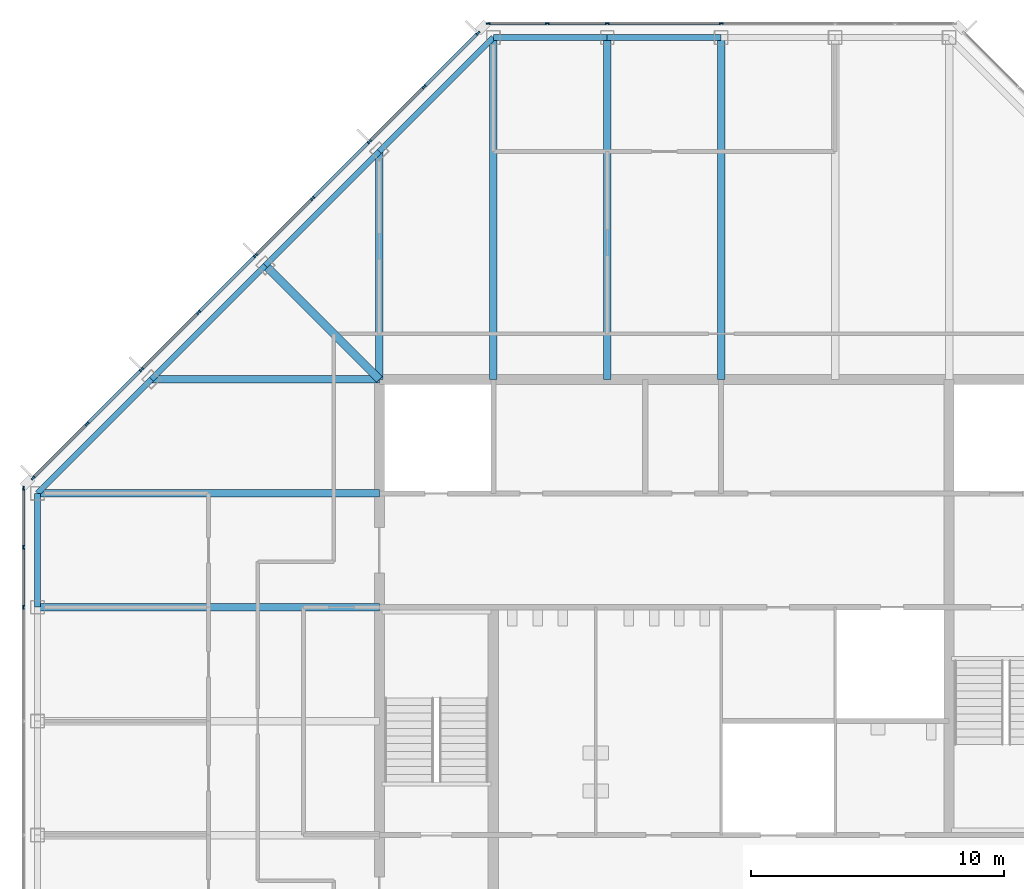
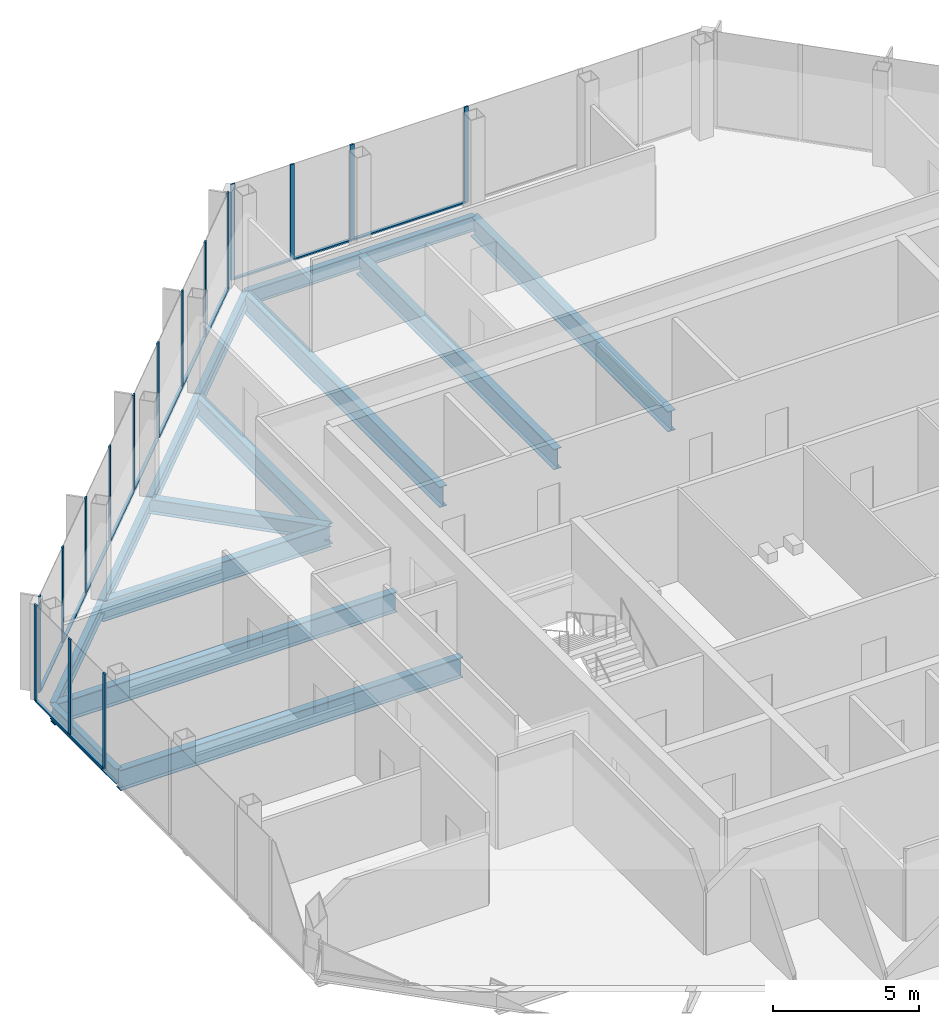
# One storey, part 6 of 14: 29 members, 15 beams, 3 elements without a shape of their own.
"""IFC4 building model written with IfcOpenShell, lengths in metres."""

import ifcopenshell
import ifcopenshell.guid

model = None  # the IFC model being written
_history = None  # IfcOwnerHistory: only IFC2X3 demands one
_inside = {}  # id of a spatial element -> (the spatial element, [elements in it])
_under = {}  # id of a project, library or spatial element -> (it, [spatial elements below it])
_declared = {}  # id of a project -> (the project, [libraries it declares])
_typed = {}  # id of a type object -> (the type object, [elements of that type])
_made_of = {}  # id of a material, layer set ... -> (it, [elements and type objects made of it])


def new_model(schema):
    """Start an empty IFC model of exactly this schema.

    Asked for "IFC4X3", IfcOpenShell would pick the latest addendum, in which some entities
    have other attributes; the version numbers below select the first issue.
    IFC2X3 requires an IfcOwnerHistory on every rooted entity: one is made here for all.
    """
    global model, _history
    if schema == "IFC4X3":
        model = ifcopenshell.file(schema_version=(4, 3, 0, 0))
    else:
        model = ifcopenshell.file(schema=schema)
    _inside.clear()
    _under.clear()
    _declared.clear()
    _typed.clear()
    _made_of.clear()
    _history = None
    if model.schema == "IFC2X3":
        org = make("IfcOrganization", Name="unknown")
        user = make(
            "IfcPersonAndOrganization",
            ThePerson=make("IfcPerson", FamilyName="unknown"),
            TheOrganization=org,
        )
        app = make(
            "IfcApplication",
            ApplicationDeveloper=org,
            Version="unknown",
            ApplicationFullName="unknown",
            ApplicationIdentifier="unknown",
        )
        _history = make(
            "IfcOwnerHistory",
            OwningUser=user,
            OwningApplication=app,
            ChangeAction="ADDED",
            CreationDate=0,
        )
    return model


def make(cls, **values):
    """One entity of the class cls with the attributes given. An attribute that is None is left unset."""
    return model.create_entity(
        cls, **{name: value for name, value in values.items() if value is not None}
    )


def rooted(cls, **values):
    """An entity with a GlobalId (a new one), such as an element, a storey or a relation."""
    return make(cls, GlobalId=ifcopenshell.guid.new(), OwnerHistory=_history, **values)


def si_unit(unit_type, name, prefix=None):
    """IfcSIUnit, for example si_unit("LENGTHUNIT", "METRE", prefix="MILLI")."""
    return make("IfcSIUnit", UnitType=unit_type, Prefix=prefix, Name=name)


def assignment(units):
    """IfcUnitAssignment: the units of a project."""
    return None if units is None else make("IfcUnitAssignment", Units=units)


def point(xyz):
    """IfcCartesianPoint."""
    return None if xyz is None else make("IfcCartesianPoint", Coordinates=xyz)


def direction(xyz):
    """IfcDirection."""
    return None if xyz is None else make("IfcDirection", DirectionRatios=xyz)


def frame(location, z_axis=None, x_axis=None):
    """IfcAxis2Placement3D, a coordinate frame: its origin and axes. An axis left out is left unset."""
    return make(
        "IfcAxis2Placement3D",
        Location=point(location),
        Axis=direction(z_axis),
        RefDirection=direction(x_axis),
    )


def frame_2d(location, x_axis=None):
    """IfcAxis2Placement2D, a coordinate frame in the plane: its origin and x axis."""
    return make(
        "IfcAxis2Placement2D", Location=point(location), RefDirection=direction(x_axis)
    )


def origin():
    """The frame at (0, 0, 0) with its axes left unset."""
    return frame((0.0, 0.0, 0.0))


def origin_2d():
    """The frame at (0, 0) in the plane with its x axis left unset."""
    return frame_2d((0.0, 0.0))


def place(relative_to, where):
    """IfcLocalPlacement: puts the frame where relative to a parent placement (None: the world)."""
    return make(
        "IfcLocalPlacement", PlacementRelTo=relative_to, RelativePlacement=where
    )


def context(
    kind, dimensions, precision=None, world=None, true_north=None, identifier=None
):
    """IfcGeometricRepresentationContext, for example the 3D "Model" context."""
    return make(
        "IfcGeometricRepresentationContext",
        ContextIdentifier=identifier,
        ContextType=kind,
        CoordinateSpaceDimension=dimensions,
        Precision=precision,
        WorldCoordinateSystem=world,
        TrueNorth=true_north,
    )


def subcontext(parent, identifier, kind, view, scale=None):
    """IfcGeometricRepresentationSubContext, for example "Body" below "Model"."""
    return make(
        "IfcGeometricRepresentationSubContext",
        ContextIdentifier=identifier,
        ContextType=kind,
        ParentContext=parent,
        TargetScale=scale,
        TargetView=view,
    )


def project(units=None, contexts=None):
    """IfcProject with its units and contexts."""
    return rooted(
        "IfcProject",
        Name="project",
        RepresentationContexts=contexts,
        UnitsInContext=assignment(units),
    )


def spatial(cls, under=None, at=None, **own):
    """A site, building, storey or space (cls), placed at a placement, below another one or the project."""
    s = rooted(cls, ObjectPlacement=at, **own)
    if under is not None:
        _under.setdefault(under.id(), (under, []))[1].append(s)
    return s


def profile(cls, at=None, kind="AREA", **sizes):
    """A parametric profile (cls). Its sizes go by their IFC names, for example OverallWidth=200.0."""
    return make(cls, ProfileType=kind, Position=at, **sizes)


def rectangle(**sizes):
    """IfcRectangleProfileDef."""
    return profile("IfcRectangleProfileDef", **sizes)


def i_section(**sizes):
    """IfcIShapeProfileDef."""
    return profile("IfcIShapeProfileDef", **sizes)


def extrude(swept, where, along, depth):
    """IfcExtrudedAreaSolid: the profile swept, set in the frame where, extruded along a direction by depth."""
    return make(
        "IfcExtrudedAreaSolid",
        SweptArea=swept,
        Position=where,
        ExtrudedDirection=direction(along),
        Depth=depth,
    )


def shape(context_of_items, identifier, shape_type, items):
    """IfcShapeRepresentation: the items that make up one representation, for example the "Body"."""
    return make(
        "IfcShapeRepresentation",
        ContextOfItems=context_of_items,
        RepresentationIdentifier=identifier,
        RepresentationType=shape_type,
        Items=items,
    )


def material(Name=None, Category=None):
    """IfcMaterial."""
    return make("IfcMaterial", Name=Name, Category=Category)


def material_profile(
    of_material, cross_section, Name=None, Category=None, Priority=None
):
    """IfcMaterialProfile: a cross section and its material."""
    return make(
        "IfcMaterialProfile",
        Name=Name,
        Material=of_material,
        Profile=cross_section,
        Priority=Priority,
        Category=Category,
    )


def profile_set(profiles, Name=None, composite=None):
    """IfcMaterialProfileSet."""
    return make(
        "IfcMaterialProfileSet",
        Name=Name,
        MaterialProfiles=profiles,
        CompositeProfile=composite,
    )


def made_of(thing, what):
    """Note that an element or type object is made of a material, layer set ...; save() writes the relation."""
    if what is not None:
        _made_of.setdefault(what.id(), (what, []))[1].append(thing)
    return thing


def type_object(cls, material=None, **own):
    """A type object (cls), such as IfcWallType, which elements share."""
    return made_of(rooted(cls, **own), material)


def element(
    cls,
    number,
    at=None,
    inside=None,
    cuts=None,
    type_object=None,
    material=None,
    context=None,
    identifier="Body",
    shape_type=None,
    held_by="IfcProductDefinitionShape",
    body=None,
    shapes=None,
    **own,
):
    """One element of the class cls, such as IfcWall. Its Tag is "e" and its number.

    at: its placement. inside: the storey or other place that contains it. cuts: it is an
    opening in that element (IfcRelVoidsElement). A single representation is given by context,
    identifier, shape_type and body (its items); several are given by shapes. held_by: the class
    of the entity that holds the representations. save() writes the other relations.
    """
    e = rooted(cls, Tag="e%d" % number, ObjectPlacement=at, **own)
    if body is not None:
        shapes = [shape(context, identifier, shape_type, body)]
    if shapes is not None:
        e.Representation = make(held_by, Representations=shapes)
    if inside is not None:
        _inside.setdefault(inside.id(), (inside, []))[1].append(e)
    if cuts is not None:
        rooted(
            "IfcRelVoidsElement", RelatingBuildingElement=cuts, RelatedOpeningElement=e
        )
    if type_object is not None:
        _typed.setdefault(type_object.id(), (type_object, []))[1].append(e)
    return made_of(e, material)


def aggregate(whole, parts):
    """IfcRelAggregates: a whole, such as a stair, and the parts it consists of."""
    return rooted("IfcRelAggregates", RelatingObject=whole, RelatedObjects=parts)


def save(model, path):
    """Write the relations noted so far, then the file.

    IfcRelAggregates (storeys below a building ...), IfcRelContainedInSpatialStructure (elements
    in a storey), IfcRelDefinesByType, IfcRelAssociatesMaterial and IfcRelDeclares: one each for
    every whole, place, type object, material and project.
    """
    for whole, parts in _under.values():
        aggregate(whole, parts)
    for where, things in _inside.values():
        rooted(
            "IfcRelContainedInSpatialStructure",
            RelatedElements=things,
            RelatingStructure=where,
        )
    for kind, things in _typed.values():
        rooted("IfcRelDefinesByType", RelatedObjects=things, RelatingType=kind)
    for what, things in _made_of.values():
        rooted("IfcRelAssociatesMaterial", RelatedObjects=things, RelatingMaterial=what)
    for by, libraries in _declared.values():
        rooted("IfcRelDeclares", RelatingContext=by, RelatedDefinitions=libraries)
    model.write(path)


model = new_model("IFC4")

# Units and contexts
model_context = context("Model", 3, precision=1e-05, world=origin(), true_north=direction((0.0, 1.0)))
body_context = subcontext(model_context, "Body", "Model", "MODEL_VIEW")
ifc_project = project(units=[si_unit("LENGTHUNIT", "METRE"), si_unit("AREAUNIT", "SQUARE_METRE"), si_unit("VOLUMEUNIT", "CUBIC_METRE"), si_unit("PLANEANGLEUNIT", "RADIAN"), si_unit("MASSUNIT", "GRAM", prefix="KILO")], contexts=[model_context])

# Site, building, storey
site_placement = place(None, origin())
site = spatial("IfcSite", under=ifc_project, at=site_placement, CompositionType="ELEMENT")
building_placement = place(site_placement, origin())
building = spatial("IfcBuilding", under=site, at=building_placement, Name="Corais Broadcast Tower", CompositionType="ELEMENT")
storey_placement = place(building_placement, frame((0.0, 0.0, 294.60009765625)))
storey = spatial("IfcBuildingStorey", under=building, at=storey_placement, Name="L69", CompositionType="ELEMENT", Elevation=294.60009765625)

# Beams
ifc_material_1 = material(Name="Steel ASTM A572 Grade 50", Category="steel")
ifc_material_profile_1 = material_profile(ifc_material_1, i_section(OverallWidth=0.323974609375, OverallDepth=0.611083984375, WebThickness=0.0126953125, FlangeThickness=0.01904296875, at=origin_2d()), Name="W610x155")
ifc_profile_set_1 = profile_set([ifc_material_profile_1], Name="Steel ASTM A572 Grade 50")
beam_type_1 = type_object("IfcBeamType", Name="Corner diagonal W610x155", PredefinedType="BEAM", material=ifc_profile_set_1)
beam_1_placement = place(storey_placement, frame((9.0, 45.0, -0.465576171875), z_axis=(0.707106781187, -0.707106781187, 0.0), x_axis=(0.707106781187, 0.707106781187, 0.0)))
element("IfcBeam", 1, at=beam_1_placement, inside=storey, type_object=beam_type_1, Name="B6 L/5 to K/6", PredefinedType="BEAM", context=body_context, shape_type="SweptSolid", body=[
    extrude(i_section(OverallWidth=0.323974609375, OverallDepth=0.611083984375, WebThickness=0.0126953125, FlangeThickness=0.01904296875, at=origin_2d()), origin(), (0.0, 0.0, 1.0), 6.364013671875),
])
ifc_material_2 = material(Name="Steel ASTM A572 Grade 50", Category="steel")
ifc_material_profile_2 = material_profile(ifc_material_2, i_section(OverallWidth=0.2939453125, OverallDepth=0.85107421875, WebThickness=0.01611328125, FlangeThickness=0.02685546875, at=origin_2d()), Name="W840x226")
ifc_profile_set_2 = profile_set([ifc_material_profile_2], Name="Steel ASTM A572 Grade 50")
beam_type_2 = type_object("IfcBeamType", Name="Floor beam W840x226", PredefinedType="BEAM", material=ifc_profile_set_2)
for number, where, z_axis, x_axis, name in (
    (2, (0.0, 31.5, -0.585693359375), (1.0, 0.0, 0.0), (0.0, 1.0, 0.0), "B1 H/3 to H/6"),
    (3, (0.0, 36.0, -0.585693359375), (1.0, 0.0, 0.0), (0.0, 1.0, 0.0), "B1 J/3 to J/6"),
):
    element("IfcBeam", number, at=place(storey_placement, frame(where, z_axis=z_axis, x_axis=x_axis)), inside=storey, type_object=beam_type_2, Name=name, PredefinedType="BEAM", context=body_context, shape_type="SweptSolid", body=[
        extrude(i_section(OverallWidth=0.2939453125, OverallDepth=0.85107421875, WebThickness=0.01611328125, FlangeThickness=0.02685546875, at=origin_2d()), origin(), (0.0, 0.0, 1.0), 13.5),
    ])
beam_2_placement = place(storey_placement, frame((13.5, 49.5, -0.585693359375), z_axis=(0.0, -1.0, 0.0), x_axis=(1.0, 0.0, 0.0)))
element("IfcBeam", 4, at=beam_2_placement, inside=storey, type_object=beam_type_2, Name="B1 M/6 to K/6", PredefinedType="BEAM", context=body_context, shape_type="SweptSolid", body=[
    extrude(i_section(OverallWidth=0.2939453125, OverallDepth=0.85107421875, WebThickness=0.01611328125, FlangeThickness=0.02685546875, at=origin_2d()), origin(), (0.0, 0.0, 1.0), 9.0),
])
for number, where, z_axis, x_axis, name in (
    (5, (18.0, 54.0, -0.585693359375), (0.0, -1.0, 0.0), (1.0, 0.0, 0.0), "B1 N/7 to K/7"),
    (6, (22.5, 54.0, -0.585693359375), (0.0, -1.0, 0.0), (1.0, 0.0, 0.0), "B1 N/8 to K/8"),
    (7, (27.0, 54.0, -0.585693359375), (0.0, -1.0, 0.0), (1.0, 0.0, 0.0), "B1 N/9 to K/9"),
):
    element("IfcBeam", number, at=place(storey_placement, frame(where, z_axis=z_axis, x_axis=x_axis)), inside=storey, type_object=beam_type_2, Name=name, PredefinedType="BEAM", context=body_context, shape_type="SweptSolid", body=[
        extrude(i_section(OverallWidth=0.2939453125, OverallDepth=0.85107421875, WebThickness=0.01611328125, FlangeThickness=0.02685546875, at=origin_2d()), origin(), (0.0, 0.0, 1.0), 13.5),
    ])
beam_3_placement = place(storey_placement, frame((4.5, 40.5, -0.585693359375), z_axis=(1.0, 0.0, 0.0), x_axis=(0.0, 1.0, 0.0)))
element("IfcBeam", 8, at=beam_3_placement, inside=storey, type_object=beam_type_2, Name="B1 K/4 to K/6", PredefinedType="BEAM", context=body_context, shape_type="SweptSolid", body=[
    extrude(i_section(OverallWidth=0.2939453125, OverallDepth=0.85107421875, WebThickness=0.01611328125, FlangeThickness=0.02685546875, at=origin_2d()), origin(), (0.0, 0.0, 1.0), 9.0),
])

# Curtain wall, members
ifc_material_3 = material(Name="Aluminium and glass", Category="aluminium")
curtain_wall_type = type_object("IfcCurtainWallType", Name="Unitised fritted curtain wall CW3", PredefinedType="NOTDEFINED", material=ifc_material_3)
curtain_wall_1_placement = place(storey_placement, origin())
curtain_wall_1 = element("IfcCurtainWall", 9, at=curtain_wall_1_placement, inside=storey, type_object=curtain_wall_type, Name="CW3 curtain wall L69 2", PredefinedType="NOTDEFINED")
ifc_material_4 = material(Name="Aluminium 6063-T6", Category="aluminium")
ifc_material_profile_3 = material_profile(ifc_material_4, rectangle(XDim=0.06494140625, YDim=0.159912109375, at=origin_2d()), Name="Mullion CW3 65x160")
ifc_profile_set_3 = profile_set([ifc_material_profile_3], Name="Aluminium 6063-T6")
member_type_1 = type_object("IfcMemberType", Name="Mullion CW3 65x160", PredefinedType="MULLION", material=ifc_profile_set_3)
member_1_placement = place(storey_placement, frame((-0.550048828125, 31.5, 0.0), z_axis=(0.0, 0.0, 1.0), x_axis=(-1.0, 0.0, 0.0)))
member_1 = element("IfcMember", 10, at=member_1_placement, type_object=member_type_1, Name="CW3 mullion 5", PredefinedType="MULLION", context=body_context, shape_type="SweptSolid", body=[
    extrude(rectangle(XDim=0.06494140625, YDim=0.159912109375, at=origin_2d()), origin(), (0.0, 0.0, 1.0), 4.0),
])
member_2_placement = place(storey_placement, frame((-0.550048828125, 33.864013671875, 0.0), z_axis=(0.0, 0.0, 1.0), x_axis=(-1.0, 0.0, 0.0)))
member_2 = element("IfcMember", 11, at=member_2_placement, type_object=member_type_1, Name="CW3 mullion 6", PredefinedType="MULLION", context=body_context, shape_type="SweptSolid", body=[
    extrude(rectangle(XDim=0.06494140625, YDim=0.159912109375, at=origin_2d()), origin(), (0.0, 0.0, 1.0), 4.0),
])
member_3_placement = place(storey_placement, frame((-0.550048828125, 36.1953125, 0.0), z_axis=(0.0, 0.0, 1.0), x_axis=(-1.0, 0.0, 0.0)))
member_3 = element("IfcMember", 12, at=member_3_placement, type_object=member_type_1, Name="CW3 mullion 7", PredefinedType="MULLION", context=body_context, shape_type="SweptSolid", body=[
    extrude(rectangle(XDim=0.06494140625, YDim=0.159912109375, at=origin_2d()), origin(), (0.0, 0.0, 1.0), 4.0),
])

curtain_wall_2_placement = place(storey_placement, origin())
curtain_wall_2 = element("IfcCurtainWall", 13, at=curtain_wall_2_placement, inside=storey, type_object=curtain_wall_type, Name="CW3 curtain wall L69 3", PredefinedType="NOTDEFINED")
member_4_placement = place(storey_placement, frame((-0.17333984375, 36.6044921875, 0.0), z_axis=(0.0, 0.0, 1.0), x_axis=(-0.707106781187, 0.707106781187, 0.0)))
member_4 = element("IfcMember", 14, at=member_4_placement, type_object=member_type_1, Name="CW3 mullion 1", PredefinedType="MULLION", context=body_context, shape_type="SweptSolid", body=[
    extrude(rectangle(XDim=0.06494140625, YDim=0.159912109375, at=origin_2d()), origin(), (0.0, 0.0, 1.0), 4.0),
])
member_5_placement = place(storey_placement, frame((1.957275390625, 38.735107421875, 0.0), z_axis=(0.0, 0.0, 1.0), x_axis=(-0.707106781187, 0.707106781187, 0.0)))
member_5 = element("IfcMember", 15, at=member_5_placement, type_object=member_type_1, Name="CW3 mullion 2", PredefinedType="MULLION", context=body_context, shape_type="SweptSolid", body=[
    extrude(rectangle(XDim=0.06494140625, YDim=0.159912109375, at=origin_2d()), origin(), (0.0, 0.0, 1.0), 4.0),
])
member_6_placement = place(storey_placement, frame((4.111083984375, 40.888916015625, 0.0), z_axis=(0.0, 0.0, 1.0), x_axis=(-0.707106781187, 0.707106781187, 0.0)))
member_6 = element("IfcMember", 16, at=member_6_placement, type_object=member_type_1, Name="CW3 mullion 3", PredefinedType="MULLION", context=body_context, shape_type="SweptSolid", body=[
    extrude(rectangle(XDim=0.06494140625, YDim=0.159912109375, at=origin_2d()), origin(), (0.0, 0.0, 1.0), 4.0),
])
member_7_placement = place(storey_placement, frame((6.361083984375, 43.138916015625, 0.0), z_axis=(0.0, 0.0, 1.0), x_axis=(-0.707106781187, 0.707106781187, 0.0)))
member_7 = element("IfcMember", 17, at=member_7_placement, type_object=member_type_1, Name="CW3 mullion 4", PredefinedType="MULLION", context=body_context, shape_type="SweptSolid", body=[
    extrude(rectangle(XDim=0.06494140625, YDim=0.159912109375, at=origin_2d()), origin(), (0.0, 0.0, 1.0), 4.0),
])
member_8_placement = place(storey_placement, frame((8.611083984375, 45.388916015625, 0.0), z_axis=(0.0, 0.0, 1.0), x_axis=(-0.707106781187, 0.707106781187, 0.0)))
member_8 = element("IfcMember", 18, at=member_8_placement, type_object=member_type_1, Name="CW3 mullion 5", PredefinedType="MULLION", context=body_context, shape_type="SweptSolid", body=[
    extrude(rectangle(XDim=0.06494140625, YDim=0.159912109375, at=origin_2d()), origin(), (0.0, 0.0, 1.0), 4.0),
])
member_9_placement = place(storey_placement, frame((10.861083984375, 47.638916015625, 0.0), z_axis=(0.0, 0.0, 1.0), x_axis=(-0.707106781187, 0.707106781187, 0.0)))
member_9 = element("IfcMember", 19, at=member_9_placement, type_object=member_type_1, Name="CW3 mullion 6", PredefinedType="MULLION", context=body_context, shape_type="SweptSolid", body=[
    extrude(rectangle(XDim=0.06494140625, YDim=0.159912109375, at=origin_2d()), origin(), (0.0, 0.0, 1.0), 4.0),
])
member_10_placement = place(storey_placement, frame((13.111083984375, 49.888916015625, 0.0), z_axis=(0.0, 0.0, 1.0), x_axis=(-0.707106781187, 0.707106781187, 0.0)))
member_10 = element("IfcMember", 20, at=member_10_placement, type_object=member_type_1, Name="CW3 mullion 7", PredefinedType="MULLION", context=body_context, shape_type="SweptSolid", body=[
    extrude(rectangle(XDim=0.06494140625, YDim=0.159912109375, at=origin_2d()), origin(), (0.0, 0.0, 1.0), 4.0),
])
member_11_placement = place(storey_placement, frame((15.264892578125, 52.042724609375, 0.0), z_axis=(0.0, 0.0, 1.0), x_axis=(-0.707106781187, 0.707106781187, 0.0)))
member_11 = element("IfcMember", 21, at=member_11_placement, type_object=member_type_1, Name="CW3 mullion 8", PredefinedType="MULLION", context=body_context, shape_type="SweptSolid", body=[
    extrude(rectangle(XDim=0.06494140625, YDim=0.159912109375, at=origin_2d()), origin(), (0.0, 0.0, 1.0), 4.0),
])
member_12_placement = place(storey_placement, frame((17.3955078125, 54.17333984375, 0.0), z_axis=(0.0, 0.0, 1.0), x_axis=(-0.707106781187, 0.707106781187, 0.0)))
member_12 = element("IfcMember", 22, at=member_12_placement, type_object=member_type_1, Name="CW3 mullion 9", PredefinedType="MULLION", context=body_context, shape_type="SweptSolid", body=[
    extrude(rectangle(XDim=0.06494140625, YDim=0.159912109375, at=origin_2d()), origin(), (0.0, 0.0, 1.0), 4.0),
])

curtain_wall_3_placement = place(storey_placement, origin())
curtain_wall_3 = element("IfcCurtainWall", 23, at=curtain_wall_3_placement, inside=storey, type_object=curtain_wall_type, Name="CW3 curtain wall L69 4", PredefinedType="NOTDEFINED")
member_13_placement = place(storey_placement, frame((17.8046875, 54.550048828125, 0.0), z_axis=(0.0, 0.0, 1.0), x_axis=(0.0, 1.0, 0.0)))
member_13 = element("IfcMember", 24, at=member_13_placement, type_object=member_type_1, Name="CW3 mullion 1", PredefinedType="MULLION", context=body_context, shape_type="SweptSolid", body=[
    extrude(rectangle(XDim=0.06494140625, YDim=0.159912109375, at=origin_2d()), origin(), (0.0, 0.0, 1.0), 4.0),
])
member_14_placement = place(storey_placement, frame((20.135986328125, 54.550048828125, 0.0), z_axis=(0.0, 0.0, 1.0), x_axis=(0.0, 1.0, 0.0)))
member_14 = element("IfcMember", 25, at=member_14_placement, type_object=member_type_1, Name="CW3 mullion 2", PredefinedType="MULLION", context=body_context, shape_type="SweptSolid", body=[
    extrude(rectangle(XDim=0.06494140625, YDim=0.159912109375, at=origin_2d()), origin(), (0.0, 0.0, 1.0), 4.0),
])
member_15_placement = place(storey_placement, frame((22.5, 54.550048828125, 0.0), z_axis=(0.0, 0.0, 1.0), x_axis=(0.0, 1.0, 0.0)))
member_15 = element("IfcMember", 26, at=member_15_placement, type_object=member_type_1, Name="CW3 mullion 3", PredefinedType="MULLION", context=body_context, shape_type="SweptSolid", body=[
    extrude(rectangle(XDim=0.06494140625, YDim=0.159912109375, at=origin_2d()), origin(), (0.0, 0.0, 1.0), 4.0),
])
member_16_placement = place(storey_placement, frame((27.0, 54.550048828125, 0.0), z_axis=(0.0, 0.0, 1.0), x_axis=(0.0, 1.0, 0.0)))
member_16 = element("IfcMember", 27, at=member_16_placement, type_object=member_type_1, Name="CW3 mullion 4", PredefinedType="MULLION", context=body_context, shape_type="SweptSolid", body=[
    extrude(rectangle(XDim=0.06494140625, YDim=0.159912109375, at=origin_2d()), origin(), (0.0, 0.0, 1.0), 4.0),
])

# Beams
ifc_material_5 = material(Name="Steel ASTM A572 Grade 50", Category="steel")
ifc_material_profile_4 = material_profile(ifc_material_5, i_section(OverallWidth=0.22998046875, OverallDepth=0.616943359375, WebThickness=0.01318359375, FlangeThickness=0.022216796875, at=origin_2d()), Name="W610x140")
ifc_profile_set_4 = profile_set([ifc_material_profile_4], Name="Steel ASTM A572 Grade 50")
beam_type_3 = type_object("IfcBeamType", Name="Spandrel W610x140", PredefinedType="BEAM", material=ifc_profile_set_4)
beam_4_placement = place(storey_placement, frame((0.0, 36.0, -0.468505859375), z_axis=(0.0, -1.0, 0.0), x_axis=(1.0, 0.0, 0.0)))
element("IfcBeam", 28, at=beam_4_placement, inside=storey, type_object=beam_type_3, Name="SB3 J/3 to H/3", PredefinedType="BEAM", context=body_context, shape_type="SweptSolid", body=[
    extrude(i_section(OverallWidth=0.22998046875, OverallDepth=0.616943359375, WebThickness=0.01318359375, FlangeThickness=0.022216796875, at=origin_2d()), origin(), (0.0, 0.0, 1.0), 4.5),
])
for number, where, z_axis, x_axis, name in (
    (29, (13.5, 49.5, -0.468505859375), (-0.707106781187, -0.707106781187, 0.0), (0.707106781187, -0.707106781187, 0.0), "SB3 M/6 to L/5"),
    (30, (18.0, 54.0, -0.468505859375), (-0.707106781187, -0.707106781187, 0.0), (0.707106781187, -0.707106781187, 0.0), "SB3 N/7 to M/6"),
):
    element("IfcBeam", number, at=place(storey_placement, frame(where, z_axis=z_axis, x_axis=x_axis)), inside=storey, type_object=beam_type_3, Name=name, PredefinedType="BEAM", context=body_context, shape_type="SweptSolid", body=[
        extrude(i_section(OverallWidth=0.22998046875, OverallDepth=0.616943359375, WebThickness=0.01318359375, FlangeThickness=0.022216796875, at=origin_2d()), origin(), (0.0, 0.0, 1.0), 6.364013671875),
    ])
for number, where, z_axis, x_axis, name in (
    (31, (22.5, 54.0, -0.468505859375), (-1.0, 0.0, 0.0), (0.0, -1.0, 0.0), "SB3 N/8 to N/7"),
    (32, (27.0, 54.0, -0.468505859375), (-1.0, 0.0, 0.0), (0.0, -1.0, 0.0), "SB3 N/9 to N/8"),
):
    element("IfcBeam", number, at=place(storey_placement, frame(where, z_axis=z_axis, x_axis=x_axis)), inside=storey, type_object=beam_type_3, Name=name, PredefinedType="BEAM", context=body_context, shape_type="SweptSolid", body=[
        extrude(i_section(OverallWidth=0.22998046875, OverallDepth=0.616943359375, WebThickness=0.01318359375, FlangeThickness=0.022216796875, at=origin_2d()), origin(), (0.0, 0.0, 1.0), 4.5),
    ])
for number, where, z_axis, x_axis, name in (
    (33, (4.5, 40.5, -0.468505859375), (-0.707106781187, -0.707106781187, 0.0), (0.707106781187, -0.707106781187, 0.0), "SB3 K/4 to J/3"),
    (34, (9.0, 45.0, -0.468505859375), (-0.707106781187, -0.707106781187, 0.0), (0.707106781187, -0.707106781187, 0.0), "SB3 L/5 to K/4"),
):
    element("IfcBeam", number, at=place(storey_placement, frame(where, z_axis=z_axis, x_axis=x_axis)), inside=storey, type_object=beam_type_3, Name=name, PredefinedType="BEAM", context=body_context, shape_type="SweptSolid", body=[
        extrude(i_section(OverallWidth=0.22998046875, OverallDepth=0.616943359375, WebThickness=0.01318359375, FlangeThickness=0.022216796875, at=origin_2d()), origin(), (0.0, 0.0, 1.0), 6.364013671875),
    ])

# Member
ifc_material_6 = material(Name="Aluminium 6063-T6", Category="aluminium")
ifc_material_profile_5 = material_profile(ifc_material_6, rectangle(XDim=0.1201171875, YDim=0.06494140625, at=origin_2d()), Name="Transom CW3 65x120")
ifc_profile_set_5 = profile_set([ifc_material_profile_5], Name="Aluminium 6063-T6")
member_type_2 = type_object("IfcMemberType", Name="Transom CW3 65x120", PredefinedType="USERDEFINED", material=ifc_profile_set_5)
member_17_placement = place(storey_placement, frame((-0.550048828125, 31.532470703125, 0.032470703125), z_axis=(0.0, 1.0, 0.0), x_axis=(-1.0, 0.0, 0.0)))
member_17 = element("IfcMember", 35, at=member_17_placement, type_object=member_type_2, Name="CW3 transom 5.1", ObjectType="TRANSOM", PredefinedType="USERDEFINED", context=body_context, shape_type="SweptSolid", body=[
    extrude(rectangle(XDim=0.1201171875, YDim=0.06494140625, at=origin_2d()), origin(), (0.0, 0.0, 1.0), 2.298828125),
])

member_18_placement = place(storey_placement, frame((-0.550048828125, 33.896484375, 0.032470703125), z_axis=(0.0, 1.0, 0.0), x_axis=(-1.0, 0.0, 0.0)))
member_18 = element("IfcMember", 36, at=member_18_placement, type_object=member_type_2, Name="CW3 transom 6.1", ObjectType="TRANSOM", PredefinedType="USERDEFINED", context=body_context, shape_type="SweptSolid", body=[
    extrude(rectangle(XDim=0.1201171875, YDim=0.06494140625, at=origin_2d()), origin(), (0.0, 0.0, 1.0), 2.266357421875),
])

aggregate(curtain_wall_1, [member_1, member_2, member_3, member_17, member_18])

member_19_placement = place(storey_placement, frame((-0.150390625, 36.62744140625, 0.032470703125), z_axis=(0.707106781187, 0.707106781187, 0.0), x_axis=(-0.707106781187, 0.707106781187, 0.0)))
member_19 = element("IfcMember", 37, at=member_19_placement, type_object=member_type_2, Name="CW3 transom 1.1", ObjectType="TRANSOM", PredefinedType="USERDEFINED", context=body_context, shape_type="SweptSolid", body=[
    extrude(rectangle(XDim=0.1201171875, YDim=0.06494140625, at=origin_2d()), origin(), (0.0, 0.0, 1.0), 2.9482421875),
])

member_20_placement = place(storey_placement, frame((1.980224609375, 38.758056640625, 0.032470703125), z_axis=(0.707106781187, 0.707106781187, 0.0), x_axis=(-0.707106781187, 0.707106781187, 0.0)))
member_20 = element("IfcMember", 38, at=member_20_placement, type_object=member_type_2, Name="CW3 transom 2.1", ObjectType="TRANSOM", PredefinedType="USERDEFINED", context=body_context, shape_type="SweptSolid", body=[
    extrude(rectangle(XDim=0.1201171875, YDim=0.06494140625, at=origin_2d()), origin(), (0.0, 0.0, 1.0), 2.98095703125),
])

member_21_placement = place(storey_placement, frame((4.134033203125, 40.911865234375, 0.032470703125), z_axis=(0.707106781187, 0.707106781187, 0.0), x_axis=(-0.707106781187, 0.707106781187, 0.0)))
member_21 = element("IfcMember", 39, at=member_21_placement, type_object=member_type_2, Name="CW3 transom 3.1", ObjectType="TRANSOM", PredefinedType="USERDEFINED", context=body_context, shape_type="SweptSolid", body=[
    extrude(rectangle(XDim=0.1201171875, YDim=0.06494140625, at=origin_2d()), origin(), (0.0, 0.0, 1.0), 3.1171875),
])

member_22_placement = place(storey_placement, frame((6.384033203125, 43.161865234375, 0.032470703125), z_axis=(0.707106781187, 0.707106781187, 0.0), x_axis=(-0.707106781187, 0.707106781187, 0.0)))
member_22 = element("IfcMember", 40, at=member_22_placement, type_object=member_type_2, Name="CW3 transom 4.1", ObjectType="TRANSOM", PredefinedType="USERDEFINED", context=body_context, shape_type="SweptSolid", body=[
    extrude(rectangle(XDim=0.1201171875, YDim=0.06494140625, at=origin_2d()), origin(), (0.0, 0.0, 1.0), 3.1171875),
])

member_23_placement = place(storey_placement, frame((8.634033203125, 45.411865234375, 0.032470703125), z_axis=(0.707106781187, 0.707106781187, 0.0), x_axis=(-0.707106781187, 0.707106781187, 0.0)))
member_23 = element("IfcMember", 41, at=member_23_placement, type_object=member_type_2, Name="CW3 transom 5.1", ObjectType="TRANSOM", PredefinedType="USERDEFINED", context=body_context, shape_type="SweptSolid", body=[
    extrude(rectangle(XDim=0.1201171875, YDim=0.06494140625, at=origin_2d()), origin(), (0.0, 0.0, 1.0), 3.1171875),
])

member_24_placement = place(storey_placement, frame((10.884033203125, 47.661865234375, 0.032470703125), z_axis=(0.707106781187, 0.707106781187, 0.0), x_axis=(-0.707106781187, 0.707106781187, 0.0)))
member_24 = element("IfcMember", 42, at=member_24_placement, type_object=member_type_2, Name="CW3 transom 6.1", ObjectType="TRANSOM", PredefinedType="USERDEFINED", context=body_context, shape_type="SweptSolid", body=[
    extrude(rectangle(XDim=0.1201171875, YDim=0.06494140625, at=origin_2d()), origin(), (0.0, 0.0, 1.0), 3.1171875),
])

member_25_placement = place(storey_placement, frame((13.134033203125, 49.911865234375, 0.032470703125), z_axis=(0.70714773134, 0.707065828661, 0.0), x_axis=(-0.707065828661, 0.70714773134, 0.0)))
member_25 = element("IfcMember", 43, at=member_25_placement, type_object=member_type_2, Name="CW3 transom 7.1", ObjectType="TRANSOM", PredefinedType="USERDEFINED", context=body_context, shape_type="SweptSolid", body=[
    extrude(rectangle(XDim=0.1201171875, YDim=0.06494140625, at=origin_2d()), origin(), (0.0, 0.0, 1.0), 2.98095703125),
])

member_26_placement = place(storey_placement, frame((15.287841796875, 52.065673828125, 0.032470703125), z_axis=(0.707106781187, 0.707106781187, 0.0), x_axis=(-0.707106781187, 0.707106781187, 0.0)))
member_26 = element("IfcMember", 44, at=member_26_placement, type_object=member_type_2, Name="CW3 transom 8.1", ObjectType="TRANSOM", PredefinedType="USERDEFINED", context=body_context, shape_type="SweptSolid", body=[
    extrude(rectangle(XDim=0.1201171875, YDim=0.06494140625, at=origin_2d()), origin(), (0.0, 0.0, 1.0), 2.9482421875),
])

aggregate(curtain_wall_2, [member_4, member_5, member_6, member_7, member_8, member_9, member_10, member_11, member_12, member_19, member_20, member_21, member_22, member_23, member_24, member_25, member_26])

member_27_placement = place(storey_placement, frame((17.837158203125, 54.550048828125, 0.032470703125), z_axis=(1.0, 0.0, 0.0), x_axis=(0.0, 1.0, 0.0)))
member_27 = element("IfcMember", 45, at=member_27_placement, type_object=member_type_2, Name="CW3 transom 1.1", ObjectType="TRANSOM", PredefinedType="USERDEFINED", context=body_context, shape_type="SweptSolid", body=[
    extrude(rectangle(XDim=0.1201171875, YDim=0.06494140625, at=origin_2d()), origin(), (0.0, 0.0, 1.0), 2.266357421875),
])

member_28_placement = place(storey_placement, frame((20.168701171875, 54.550048828125, 0.032470703125), z_axis=(1.0, 0.0, 0.0), x_axis=(0.0, 1.0, 0.0)))
member_28 = element("IfcMember", 46, at=member_28_placement, type_object=member_type_2, Name="CW3 transom 2.1", ObjectType="TRANSOM", PredefinedType="USERDEFINED", context=body_context, shape_type="SweptSolid", body=[
    extrude(rectangle(XDim=0.1201171875, YDim=0.06494140625, at=origin_2d()), origin(), (0.0, 0.0, 1.0), 2.298828125),
])

member_29_placement = place(storey_placement, frame((22.532470703125, 54.550048828125, 0.032470703125), z_axis=(1.0, 0.0, 0.0), x_axis=(0.0, 1.0, 0.0)))
member_29 = element("IfcMember", 47, at=member_29_placement, type_object=member_type_2, Name="CW3 transom 3.1", ObjectType="TRANSOM", PredefinedType="USERDEFINED", context=body_context, shape_type="SweptSolid", body=[
    extrude(rectangle(XDim=0.1201171875, YDim=0.06494140625, at=origin_2d()), origin(), (0.0, 0.0, 1.0), 4.43505859375),
])

aggregate(curtain_wall_3, [member_13, member_14, member_15, member_16, member_27, member_28, member_29])

save(model, "model.ifc")
